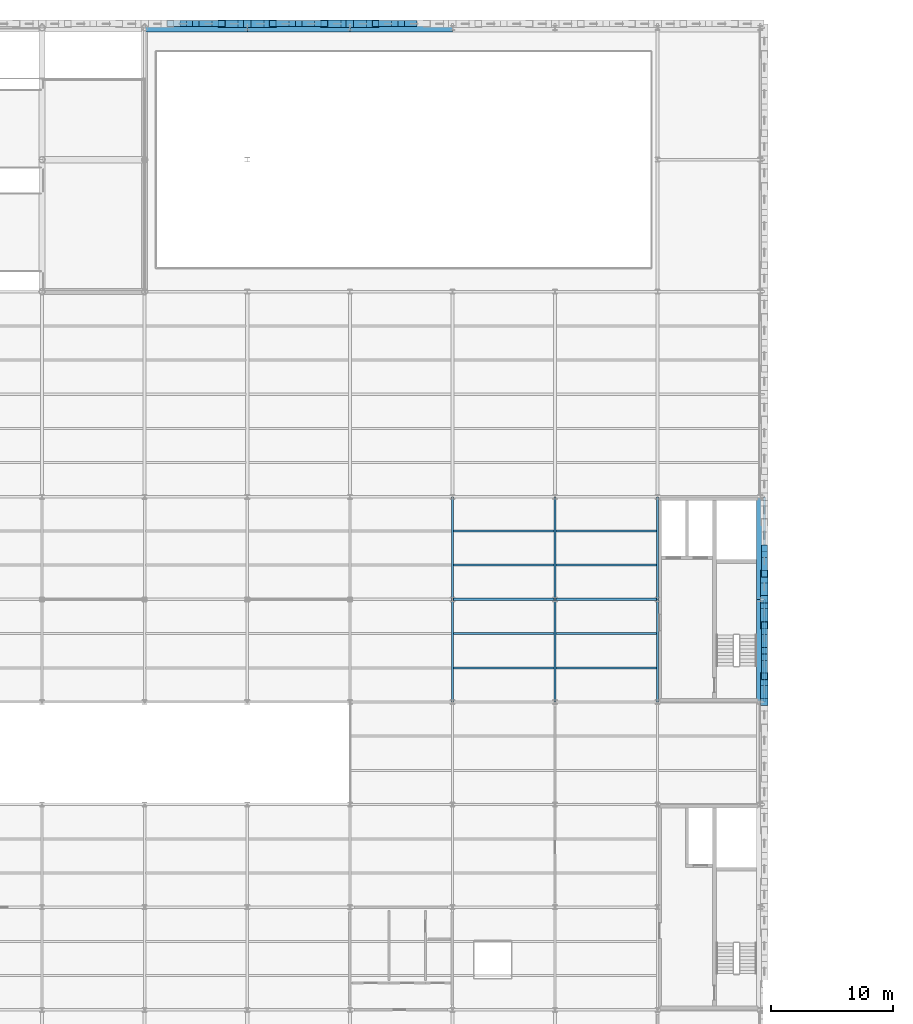
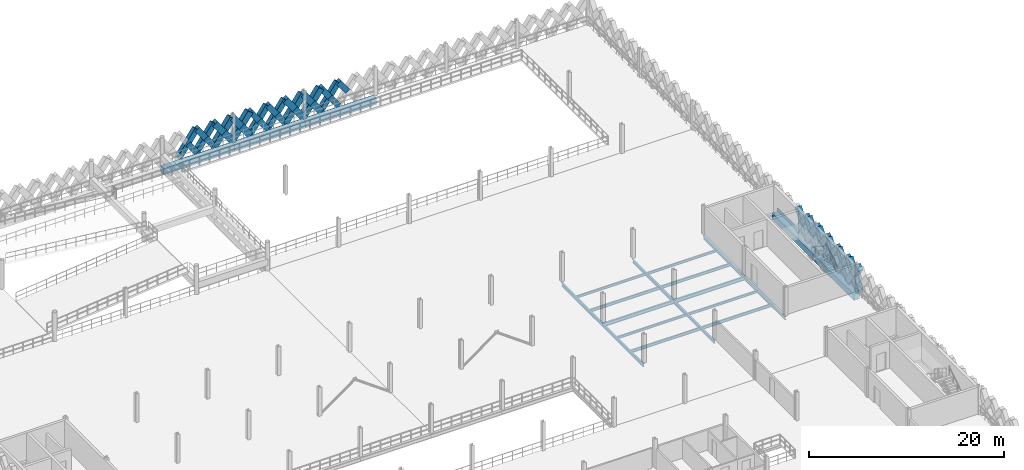
# One storey, part 29 of 74: 47 members, 21 beams.
"""IFC4 building model written with IfcOpenShell, lengths in metres."""

from ifc_helpers import new_model, si_unit, direction, frame, origin, origin_2d, place, context, subcontext, project, spatial, rectangle, hollow_rectangle, i_section, extrude, material, material_profile, profile_set, type_object, element, save


model = new_model("IFC4")

# Units and contexts
model_context = context("Model", 3, precision=1e-05, world=origin(), true_north=direction((0.0, 1.0)))
body_context = subcontext(model_context, "Body", "Model", "MODEL_VIEW")
ifc_project = project(units=[si_unit("LENGTHUNIT", "METRE"), si_unit("AREAUNIT", "SQUARE_METRE"), si_unit("VOLUMEUNIT", "CUBIC_METRE"), si_unit("PLANEANGLEUNIT", "RADIAN"), si_unit("MASSUNIT", "GRAM", prefix="KILO"), si_unit("THERMODYNAMICTEMPERATUREUNIT", "KELVIN"), si_unit("POWERUNIT", "WATT")], contexts=[model_context])

# Site, building, storey
site_placement = place(None, origin())
site = spatial("IfcSite", under=ifc_project, at=site_placement, CompositionType="ELEMENT")
building_placement = place(site_placement, origin())
building = spatial("IfcBuilding", under=site, at=building_placement, Name="Tembeka Court Mobility Hub", CompositionType="ELEMENT")
storey_placement = place(building_placement, frame((0.0, 0.0, 12.60009765625)))
storey = spatial("IfcBuildingStorey", under=building, at=storey_placement, Name="L03", CompositionType="ELEMENT", Elevation=12.60009765625)

# Beams
ifc_material_1 = material(Name="Steel S355", Category="steel")
ifc_material_profile_1 = material_profile(ifc_material_1, i_section(OverallWidth=0.18994140625, OverallDepth=0.45703125, WebThickness=0.009033203125, FlangeThickness=0.014404296875, FilletRadius=0.01025390625, at=origin_2d()), Name="UKB 457x191x74")
ifc_profile_set_1 = profile_set([ifc_material_profile_1], Name="Steel S355")
beam_type_1 = type_object("IfcBeamType", Name="BM-B01", PredefinedType="BEAM", material=ifc_profile_set_1)
beam_1_placement = place(storey_placement, frame((67.199951171875, 72.0, -0.448486328125), z_axis=(1.0, 0.0, 0.0), x_axis=(0.0, 1.0, 0.0)))
element("IfcBeam", 1, at=beam_1_placement, inside=storey, type_object=beam_type_1, Name="Beam B01 (BM-L03-X1779)", PredefinedType="BEAM", context=body_context, shape_type="SweptSolid", body=[
    extrude(i_section(OverallWidth=0.18994140625, OverallDepth=0.45703125, WebThickness=0.009033203125, FlangeThickness=0.014404296875, FilletRadius=0.01025390625, at=origin_2d()), origin(), (0.0, 0.0, 1.0), 8.400146484375),
])
beam_2_placement = place(storey_placement, frame((75.60009765625, 72.0, -0.448486328125), z_axis=(1.0, 0.0, 0.0), x_axis=(0.0, 1.0, 0.0)))
element("IfcBeam", 2, at=beam_2_placement, inside=storey, type_object=beam_type_1, Name="Beam B01 (BM-L03-X1780)", PredefinedType="BEAM", context=body_context, shape_type="SweptSolid", body=[
    extrude(i_section(OverallWidth=0.18994140625, OverallDepth=0.45703125, WebThickness=0.009033203125, FlangeThickness=0.014404296875, FilletRadius=0.01025390625, at=origin_2d()), origin(), (0.0, 0.0, 1.0), 8.39990234375),
])
ifc_material_profile_2 = material_profile(ifc_material_1, i_section(OverallWidth=0.177978515625, OverallDepth=0.406005859375, WebThickness=0.0078125, FlangeThickness=0.0126953125, FilletRadius=0.01025390625, at=origin_2d()), Name="UKB 406x178x60")
ifc_profile_set_2 = profile_set([ifc_material_profile_2], Name="Steel S355")
beam_type_2 = type_object("IfcBeamType", Name="BM-B02", PredefinedType="BEAM", material=ifc_profile_set_2)
for number, where, z_axis, x_axis, name in (
    (3, (67.199951171875, 63.60009765625, -0.423095703125), (0.0, 1.0, 0.0), (-1.0, 0.0, 0.0), "Beam B02 (BM-L03-Y1889)"),
    (4, (67.199951171875, 72.0, -0.423095703125), (0.0, 1.0, 0.0), (-1.0, 0.0, 0.0), "Beam B02 (BM-L03-Y1890)"),
    (5, (75.60009765625, 63.60009765625, -0.423095703125), (0.0, 1.0, 0.0), (-1.0, 0.0, 0.0), "Beam B02 (BM-L03-Y1896)"),
    (6, (75.60009765625, 72.0, -0.423095703125), (0.0, 1.0, 0.0), (-1.0, 0.0, 0.0), "Beam B02 (BM-L03-Y1897)"),
    (7, (84.0, 63.60009765625, -0.423095703125), (0.0, 1.0, 0.0), (-1.0, 0.0, 0.0), "Beam B02 (BM-L03-Y1905)"),
    (8, (84.0, 72.0, -0.423095703125), (0.0, 1.0, 0.0), (-1.0, 0.0, 0.0), "Beam B02 (BM-L03-Y1906)"),
):
    element("IfcBeam", number, at=place(storey_placement, frame(where, z_axis=z_axis, x_axis=x_axis)), inside=storey, type_object=beam_type_2, Name=name, PredefinedType="BEAM", context=body_context, shape_type="SweptSolid", body=[
        extrude(i_section(OverallWidth=0.177978515625, OverallDepth=0.406005859375, WebThickness=0.0078125, FlangeThickness=0.0126953125, FilletRadius=0.01025390625, at=origin_2d()), origin(), (0.0, 0.0, 1.0), 8.39990234375),
    ])
ifc_material_profile_3 = material_profile(ifc_material_1, i_section(OverallWidth=0.1650390625, OverallDepth=0.303955078125, WebThickness=0.006103515625, FlangeThickness=0.01025390625, FilletRadius=0.0087890625, at=origin_2d()), Name="UKB 305x165x40")
ifc_profile_set_3 = profile_set([ifc_material_profile_3], Name="Steel S355")
beam_type_3 = type_object("IfcBeamType", Name="BM-J02", PredefinedType="JOIST", material=ifc_profile_set_3)
for number, where, z_axis, x_axis, name in (
    (9, (67.283935546875, 69.199951171875, -0.3720703125), (1.0, 0.0, 0.0), (0.0, 1.0, 0.0), "Beam J02 (JST-L03-2102)"),
    (10, (67.283935546875, 77.60009765625, -0.3720703125), (1.0, 0.0, 0.0), (0.0, 1.0, 0.0), "Beam J02 (JST-L03-2104)"),
):
    element("IfcBeam", number, at=place(storey_placement, frame(where, z_axis=z_axis, x_axis=x_axis)), inside=storey, type_object=beam_type_3, Name=name, PredefinedType="JOIST", context=body_context, shape_type="SweptSolid", body=[
        extrude(i_section(OverallWidth=0.1650390625, OverallDepth=0.303955078125, WebThickness=0.006103515625, FlangeThickness=0.01025390625, FilletRadius=0.0087890625, at=origin_2d()), origin(), (0.0, 0.0, 1.0), 8.232177734375),
    ])
for number, where, z_axis, x_axis, name in (
    (11, (75.68408203125, 69.199951171875, -0.3720703125), (1.0, 0.0, 0.0), (0.0, 1.0, 0.0), "Beam J02 (JST-L03-2122)"),
    (12, (75.68408203125, 77.60009765625, -0.3720703125), (1.0, 0.0, 0.0), (0.0, 1.0, 0.0), "Beam J02 (JST-L03-2124)"),
):
    element("IfcBeam", number, at=place(storey_placement, frame(where, z_axis=z_axis, x_axis=x_axis)), inside=storey, type_object=beam_type_3, Name=name, PredefinedType="JOIST", context=body_context, shape_type="SweptSolid", body=[
        extrude(i_section(OverallWidth=0.1650390625, OverallDepth=0.303955078125, WebThickness=0.006103515625, FlangeThickness=0.01025390625, FilletRadius=0.0087890625, at=origin_2d()), origin(), (0.0, 0.0, 1.0), 8.23193359375),
    ])
ifc_material_profile_4 = material_profile(ifc_material_1, i_section(OverallWidth=0.169921875, OverallDepth=0.360107421875, WebThickness=0.008056640625, FlangeThickness=0.0126953125, FilletRadius=0.01806640625, at=origin_2d()), Name="IPE 360")
ifc_profile_set_4 = profile_set([ifc_material_profile_4], Name="Steel S355")
beam_type_4 = type_object("IfcBeamType", Name="BM-J03", PredefinedType="JOIST", material=ifc_profile_set_4)
for number, where, z_axis, x_axis, name in (
    (13, (67.283935546875, 66.39990234375, -0.400146484375), (1.0, 0.0, 0.0), (0.0, 1.0, 0.0), "Beam J03 (JST-L03-2101)"),
    (14, (67.283935546875, 74.800048828125, -0.400146484375), (1.0, 0.0, 0.0), (0.0, 1.0, 0.0), "Beam J03 (JST-L03-2103)"),
):
    element("IfcBeam", number, at=place(storey_placement, frame(where, z_axis=z_axis, x_axis=x_axis)), inside=storey, type_object=beam_type_4, Name=name, PredefinedType="JOIST", context=body_context, shape_type="SweptSolid", body=[
        extrude(i_section(OverallWidth=0.169921875, OverallDepth=0.360107421875, WebThickness=0.008056640625, FlangeThickness=0.0126953125, FilletRadius=0.01806640625, at=origin_2d()), origin(), (0.0, 0.0, 1.0), 8.232177734375),
    ])
for number, where, z_axis, x_axis, name in (
    (15, (75.68408203125, 66.39990234375, -0.400146484375), (1.0, 0.0, 0.0), (0.0, 1.0, 0.0), "Beam J03 (JST-L03-2121)"),
    (16, (75.68408203125, 74.800048828125, -0.400146484375), (1.0, 0.0, 0.0), (0.0, 1.0, 0.0), "Beam J03 (JST-L03-2123)"),
):
    element("IfcBeam", number, at=place(storey_placement, frame(where, z_axis=z_axis, x_axis=x_axis)), inside=storey, type_object=beam_type_4, Name=name, PredefinedType="JOIST", context=body_context, shape_type="SweptSolid", body=[
        extrude(i_section(OverallWidth=0.169921875, OverallDepth=0.360107421875, WebThickness=0.008056640625, FlangeThickness=0.0126953125, FilletRadius=0.01806640625, at=origin_2d()), origin(), (0.0, 0.0, 1.0), 8.23193359375),
    ])
ifc_material_2 = material(Name="Precast concrete C45/55", Category="concrete")
ifc_material_profile_5 = material_profile(ifc_material_2, rectangle(XDim=0.64990234375, YDim=0.800048828125, at=origin_2d()), Name="PC-SP 650x800")
ifc_profile_set_5 = profile_set([ifc_material_profile_5], Name="Precast concrete C45/55")
beam_type_5 = type_object("IfcBeamType", Name="BM-SP01", PredefinedType="SPANDREL", material=ifc_profile_set_5)
beam_3_placement = place(storey_placement, frame((42.0, 118.800048828125, -0.6201171875), z_axis=(1.0, 0.0, 0.0), x_axis=(0.0, 1.0, 0.0)))
element("IfcBeam", 17, at=beam_3_placement, inside=storey, type_object=beam_type_5, Name="Beam SP01 (BM-L03-X1810)", PredefinedType="SPANDREL", context=body_context, shape_type="SweptSolid", body=[
    extrude(rectangle(XDim=0.64990234375, YDim=0.800048828125, at=origin_2d()), origin(), (0.0, 0.0, 1.0), 8.39990234375),
])
beam_4_placement = place(storey_placement, frame((50.39990234375, 118.800048828125, -0.6201171875), z_axis=(1.0, 0.0, 0.0), x_axis=(0.0, 1.0, 0.0)))
element("IfcBeam", 18, at=beam_4_placement, inside=storey, type_object=beam_type_5, Name="Beam SP01 (BM-L03-X1811)", PredefinedType="SPANDREL", context=body_context, shape_type="SweptSolid", body=[
    extrude(rectangle(XDim=0.64990234375, YDim=0.800048828125, at=origin_2d()), origin(), (0.0, 0.0, 1.0), 8.400146484375),
])
for number, where, z_axis, x_axis, name in (
    (19, (58.800048828125, 118.800048828125, -0.6201171875), (1.0, 0.0, 0.0), (0.0, 1.0, 0.0), "Beam SP01 (BM-L03-X1812)"),
    (20, (92.39990234375, 63.60009765625, -0.6201171875), (0.0, 1.0, 0.0), (-1.0, 0.0, 0.0), "Beam SP01 (BM-L03-Y1916)"),
    (21, (92.39990234375, 72.0, -0.6201171875), (0.0, 1.0, 0.0), (-1.0, 0.0, 0.0), "Beam SP01 (BM-L03-Y1917)"),
):
    element("IfcBeam", number, at=place(storey_placement, frame(where, z_axis=z_axis, x_axis=x_axis)), inside=storey, type_object=beam_type_5, Name=name, PredefinedType="SPANDREL", context=body_context, shape_type="SweptSolid", body=[
        extrude(rectangle(XDim=0.64990234375, YDim=0.800048828125, at=origin_2d()), origin(), (0.0, 0.0, 1.0), 8.39990234375),
    ])

# Members
ifc_material_profile_6 = material_profile(ifc_material_2, rectangle(XDim=0.5, YDim=0.64990234375, at=origin_2d()), Name="PC-DIAG 500x650")
ifc_profile_set_6 = profile_set([ifc_material_profile_6], Name="Precast concrete C45/55")
member_type_1 = type_object("IfcMemberType", Name="MEM-DL01", PredefinedType="BRACE", material=ifc_profile_set_6)
member_1_placement = place(storey_placement, frame((44.10009765625, 119.139892578125, 0.02001953125), z_axis=(0.58253161945, 0.0, 0.812808041509), x_axis=(0.0, 1.0, 0.0)))
element("IfcMember", 22, at=member_1_placement, inside=storey, type_object=member_type_1, Name="Precast diamond lattice continuous strand DL01 (L03-454A)", PredefinedType="BRACE", context=body_context, shape_type="SweptSolid", body=[
    extrude(rectangle(XDim=0.5, YDim=0.64990234375, at=origin_2d()), origin(), (0.0, 0.0, 1.0), 3.604736328125),
])
member_2_placement = place(storey_placement, frame((46.199951171875, 119.139892578125, 0.02001953125), z_axis=(-0.582608431711, 0.0, 0.812752985414), x_axis=(0.0, -1.0, 0.0)))
element("IfcMember", 23, at=member_2_placement, inside=storey, type_object=member_type_1, Name="Precast diamond lattice split lower strand DL01 (L03-454B1)", PredefinedType="BRACE", context=body_context, shape_type="SweptSolid", body=[
    extrude(rectangle(XDim=0.5, YDim=0.64990234375, at=origin_2d()), origin(), (0.0, 0.0, 1.0), 1.80224609375),
])
member_3_placement = place(storey_placement, frame((46.199951171875, 119.139892578125, 0.02001953125), z_axis=(0.582576362011, 0.0, 0.812775973086), x_axis=(0.0, 1.0, 0.0)))
element("IfcMember", 24, at=member_3_placement, inside=storey, type_object=member_type_1, Name="Precast diamond lattice continuous strand DL01 (L03-455A)", PredefinedType="BRACE", context=body_context, shape_type="SweptSolid", body=[
    extrude(rectangle(XDim=0.5, YDim=0.64990234375, at=origin_2d()), origin(), (0.0, 0.0, 1.0), 3.604736328125),
])
member_4_placement = place(storey_placement, frame((48.300048828125, 119.139892578125, 0.02001953125), z_axis=(-0.582608431711, 0.0, 0.812752985414), x_axis=(0.0, -1.0, 0.0)))
element("IfcMember", 25, at=member_4_placement, inside=storey, type_object=member_type_1, Name="Precast diamond lattice split lower strand DL01 (L03-455B1)", PredefinedType="BRACE", context=body_context, shape_type="SweptSolid", body=[
    extrude(rectangle(XDim=0.5, YDim=0.64990234375, at=origin_2d()), origin(), (0.0, 0.0, 1.0), 1.80224609375),
])
member_5_placement = place(storey_placement, frame((47.25, 119.139892578125, 1.48486328125), z_axis=(-0.582544294934, 0.0, 0.812798956963), x_axis=(0.0, -1.0, 0.0)))
element("IfcMember", 26, at=member_5_placement, inside=storey, type_object=member_type_1, Name="Precast diamond lattice split upper strand DL01 (L03-455B2)", PredefinedType="BRACE", context=body_context, shape_type="SweptSolid", body=[
    extrude(rectangle(XDim=0.5, YDim=0.64990234375, at=origin_2d()), origin(), (0.0, 0.0, 1.0), 1.802490234375),
])
member_6_placement = place(storey_placement, frame((52.5, 119.139892578125, 0.02001953125), z_axis=(0.582576362011, 0.0, 0.812775973086), x_axis=(0.0, 1.0, 0.0)))
element("IfcMember", 27, at=member_6_placement, inside=storey, type_object=member_type_1, Name="Precast diamond lattice continuous strand DL01 (L03-458A)", PredefinedType="BRACE", context=body_context, shape_type="SweptSolid", body=[
    extrude(rectangle(XDim=0.5, YDim=0.64990234375, at=origin_2d()), origin(), (0.0, 0.0, 1.0), 3.604736328125),
])
member_7_placement = place(storey_placement, frame((54.60009765625, 119.139892578125, 0.02001953125), z_axis=(-0.582608431711, 0.0, 0.812752985414), x_axis=(0.0, -1.0, 0.0)))
element("IfcMember", 28, at=member_7_placement, inside=storey, type_object=member_type_1, Name="Precast diamond lattice split lower strand DL01 (L03-458B1)", PredefinedType="BRACE", context=body_context, shape_type="SweptSolid", body=[
    extrude(rectangle(XDim=0.5, YDim=0.64990234375, at=origin_2d()), origin(), (0.0, 0.0, 1.0), 1.80224609375),
])
member_8_placement = place(storey_placement, frame((53.550048828125, 119.139892578125, 1.48486328125), z_axis=(-0.582544294934, 0.0, 0.812798956963), x_axis=(0.0, -1.0, 0.0)))
element("IfcMember", 29, at=member_8_placement, inside=storey, type_object=member_type_1, Name="Precast diamond lattice split upper strand DL01 (L03-458B2)", PredefinedType="BRACE", context=body_context, shape_type="SweptSolid", body=[
    extrude(rectangle(XDim=0.5, YDim=0.64990234375, at=origin_2d()), origin(), (0.0, 0.0, 1.0), 1.802490234375),
])
member_9_placement = place(storey_placement, frame((54.60009765625, 119.139892578125, 0.02001953125), z_axis=(0.58253161945, 0.0, 0.812808041509), x_axis=(0.0, 1.0, 0.0)))
element("IfcMember", 30, at=member_9_placement, inside=storey, type_object=member_type_1, Name="Precast diamond lattice continuous strand DL01 (L03-459A)", PredefinedType="BRACE", context=body_context, shape_type="SweptSolid", body=[
    extrude(rectangle(XDim=0.5, YDim=0.64990234375, at=origin_2d()), origin(), (0.0, 0.0, 1.0), 3.604736328125),
])
member_10_placement = place(storey_placement, frame((56.699951171875, 119.139892578125, 0.02001953125), z_axis=(-0.582608431711, 0.0, 0.812752985414), x_axis=(0.0, -1.0, 0.0)))
element("IfcMember", 31, at=member_10_placement, inside=storey, type_object=member_type_1, Name="Precast diamond lattice split lower strand DL01 (L03-459B1)", PredefinedType="BRACE", context=body_context, shape_type="SweptSolid", body=[
    extrude(rectangle(XDim=0.5, YDim=0.64990234375, at=origin_2d()), origin(), (0.0, 0.0, 1.0), 1.80224609375),
])
member_11_placement = place(storey_placement, frame((55.64990234375, 119.139892578125, 1.48486328125), z_axis=(-0.582454804382, 0.0, 0.812863088627), x_axis=(0.0, -1.0, 0.0)))
element("IfcMember", 32, at=member_11_placement, inside=storey, type_object=member_type_1, Name="Precast diamond lattice split upper strand DL01 (L03-459B2)", PredefinedType="BRACE", context=body_context, shape_type="SweptSolid", body=[
    extrude(rectangle(XDim=0.5, YDim=0.64990234375, at=origin_2d()), origin(), (0.0, 0.0, 1.0), 1.802490234375),
])
member_12_placement = place(storey_placement, frame((60.89990234375, 119.139892578125, 0.02001953125), z_axis=(0.582576362011, 0.0, 0.812775973086), x_axis=(0.0, 1.0, 0.0)))
element("IfcMember", 33, at=member_12_placement, inside=storey, type_object=member_type_1, Name="Precast diamond lattice continuous strand DL01 (L03-462A)", PredefinedType="BRACE", context=body_context, shape_type="SweptSolid", body=[
    extrude(rectangle(XDim=0.5, YDim=0.64990234375, at=origin_2d()), origin(), (0.0, 0.0, 1.0), 3.604736328125),
])
member_13_placement = place(storey_placement, frame((63.0, 119.139892578125, 0.02001953125), z_axis=(-0.582608431711, 0.0, 0.812752985414), x_axis=(0.0, -1.0, 0.0)))
element("IfcMember", 34, at=member_13_placement, inside=storey, type_object=member_type_1, Name="Precast diamond lattice split lower strand DL01 (L03-462B1)", PredefinedType="BRACE", context=body_context, shape_type="SweptSolid", body=[
    extrude(rectangle(XDim=0.5, YDim=0.64990234375, at=origin_2d()), origin(), (0.0, 0.0, 1.0), 1.80224609375),
])
for number, where, z_axis, x_axis, name in (
    (35, (61.949951171875, 119.139892578125, 1.48486328125), (-0.582544294934, 0.0, 0.812798956963), (0.0, -1.0, 0.0), "Precast diamond lattice split upper strand DL01 (L03-462B2)"),
    (36, (64.050048828125, 119.139892578125, 1.48486328125), (-0.582544294934, 0.0, 0.812798956963), (0.0, -1.0, 0.0), "Precast diamond lattice split upper strand DL01 (L03-463B2)"),
):
    element("IfcMember", number, at=place(storey_placement, frame(where, z_axis=z_axis, x_axis=x_axis)), inside=storey, type_object=member_type_1, Name=name, PredefinedType="BRACE", context=body_context, shape_type="SweptSolid", body=[
        extrude(rectangle(XDim=0.5, YDim=0.64990234375, at=origin_2d()), origin(), (0.0, 0.0, 1.0), 1.802490234375),
    ])
member_14_placement = place(storey_placement, frame((92.739990234375, 65.699951171875, 0.02001953125), z_axis=(0.0, 0.582576362011, 0.812775973086), x_axis=(-1.0, 0.0, 0.0)))
element("IfcMember", 37, at=member_14_placement, inside=storey, type_object=member_type_1, Name="Precast diamond lattice continuous strand DL01 (L03-564C)", PredefinedType="BRACE", context=body_context, shape_type="SweptSolid", body=[
    extrude(rectangle(XDim=0.5, YDim=0.64990234375, at=origin_2d()), origin(), (0.0, 0.0, 1.0), 3.604736328125),
])
member_15_placement = place(storey_placement, frame((92.739990234375, 67.800048828125, 0.02001953125), z_axis=(0.0, -0.582608431711, 0.812752985414), x_axis=(1.0, 0.0, 0.0)))
element("IfcMember", 38, at=member_15_placement, inside=storey, type_object=member_type_1, Name="Precast diamond lattice split lower strand DL01 (L03-564D1)", PredefinedType="BRACE", context=body_context, shape_type="SweptSolid", body=[
    extrude(rectangle(XDim=0.5, YDim=0.64990234375, at=origin_2d()), origin(), (0.0, 0.0, 1.0), 1.80224609375),
])
member_16_placement = place(storey_placement, frame((92.739990234375, 66.75, 1.48486328125), z_axis=(0.0, -0.582544294934, 0.812798956963), x_axis=(1.0, 0.0, 0.0)))
element("IfcMember", 39, at=member_16_placement, inside=storey, type_object=member_type_1, Name="Precast diamond lattice split upper strand DL01 (L03-564D2)", PredefinedType="BRACE", context=body_context, shape_type="SweptSolid", body=[
    extrude(rectangle(XDim=0.5, YDim=0.64990234375, at=origin_2d()), origin(), (0.0, 0.0, 1.0), 1.802490234375),
])
member_17_placement = place(storey_placement, frame((92.739990234375, 67.800048828125, 0.02001953125), z_axis=(0.0, 0.58253161945, 0.812808041509), x_axis=(-1.0, 0.0, 0.0)))
element("IfcMember", 40, at=member_17_placement, inside=storey, type_object=member_type_1, Name="Precast diamond lattice continuous strand DL01 (L03-565C)", PredefinedType="BRACE", context=body_context, shape_type="SweptSolid", body=[
    extrude(rectangle(XDim=0.5, YDim=0.64990234375, at=origin_2d()), origin(), (0.0, 0.0, 1.0), 3.604736328125),
])
member_18_placement = place(storey_placement, frame((92.739990234375, 69.89990234375, 0.02001953125), z_axis=(0.0, -0.582518941428, 0.812817127574), x_axis=(1.0, 0.0, 0.0)))
element("IfcMember", 41, at=member_18_placement, inside=storey, type_object=member_type_1, Name="Precast diamond lattice split lower strand DL01 (L03-565D1)", PredefinedType="BRACE", context=body_context, shape_type="SweptSolid", body=[
    extrude(rectangle(XDim=0.5, YDim=0.64990234375, at=origin_2d()), origin(), (0.0, 0.0, 1.0), 1.80224609375),
])
member_19_placement = place(storey_placement, frame((92.739990234375, 68.85009765625, 1.48486328125), z_axis=(0.0, -0.582544294934, 0.812798956963), x_axis=(1.0, 0.0, 0.0)))
element("IfcMember", 42, at=member_19_placement, inside=storey, type_object=member_type_1, Name="Precast diamond lattice split upper strand DL01 (L03-565D2)", PredefinedType="BRACE", context=body_context, shape_type="SweptSolid", body=[
    extrude(rectangle(XDim=0.5, YDim=0.64990234375, at=origin_2d()), origin(), (0.0, 0.0, 1.0), 1.802490234375),
])
member_20_placement = place(storey_placement, frame((92.739990234375, 74.10009765625, 0.02001953125), z_axis=(0.0, 0.58253161945, 0.812808041509), x_axis=(-1.0, 0.0, 0.0)))
element("IfcMember", 43, at=member_20_placement, inside=storey, type_object=member_type_1, Name="Precast diamond lattice continuous strand DL01 (L03-568C)", PredefinedType="BRACE", context=body_context, shape_type="SweptSolid", body=[
    extrude(rectangle(XDim=0.5, YDim=0.64990234375, at=origin_2d()), origin(), (0.0, 0.0, 1.0), 3.604736328125),
])
member_21_placement = place(storey_placement, frame((92.739990234375, 76.199951171875, 0.02001953125), z_axis=(0.0, -0.582608431711, 0.812752985414), x_axis=(1.0, 0.0, 0.0)))
element("IfcMember", 44, at=member_21_placement, inside=storey, type_object=member_type_1, Name="Precast diamond lattice split lower strand DL01 (L03-568D1)", PredefinedType="BRACE", context=body_context, shape_type="SweptSolid", body=[
    extrude(rectangle(XDim=0.5, YDim=0.64990234375, at=origin_2d()), origin(), (0.0, 0.0, 1.0), 1.80224609375),
])
member_22_placement = place(storey_placement, frame((92.739990234375, 75.14990234375, 1.48486328125), z_axis=(0.0, -0.582454804382, 0.812863088627), x_axis=(1.0, 0.0, 0.0)))
element("IfcMember", 45, at=member_22_placement, inside=storey, type_object=member_type_1, Name="Precast diamond lattice split upper strand DL01 (L03-568D2)", PredefinedType="BRACE", context=body_context, shape_type="SweptSolid", body=[
    extrude(rectangle(XDim=0.5, YDim=0.64990234375, at=origin_2d()), origin(), (0.0, 0.0, 1.0), 1.802490234375),
])
ifc_material_profile_7 = material_profile(ifc_material_2, rectangle(XDim=0.60009765625, YDim=0.75, at=origin_2d()), Name="PC-DIAG 600x750")
ifc_profile_set_7 = profile_set([ifc_material_profile_7], Name="Precast concrete C45/55")
member_type_2 = type_object("IfcMemberType", Name="MEM-DL02", PredefinedType="BRACE", material=ifc_profile_set_7)
member_23_placement = place(storey_placement, frame((48.300048828125, 119.139892578125, 0.02001953125), z_axis=(0.58253161945, 0.0, 0.812808041509), x_axis=(0.0, 1.0, 0.0)))
element("IfcMember", 46, at=member_23_placement, inside=storey, type_object=member_type_2, Name="Precast diamond lattice continuous strand DL02 (L03-456A)", PredefinedType="BRACE", context=body_context, shape_type="SweptSolid", body=[
    extrude(rectangle(XDim=0.60009765625, YDim=0.75, at=origin_2d()), origin(), (0.0, 0.0, 1.0), 3.604736328125),
])
member_24_placement = place(storey_placement, frame((50.39990234375, 119.139892578125, 0.02001953125), z_axis=(-0.582518941428, 0.0, 0.812817127574), x_axis=(0.0, -1.0, 0.0)))
element("IfcMember", 47, at=member_24_placement, inside=storey, type_object=member_type_2, Name="Precast diamond lattice split lower strand DL02 (L03-456B1)", PredefinedType="BRACE", context=body_context, shape_type="SweptSolid", body=[
    extrude(rectangle(XDim=0.60009765625, YDim=0.75, at=origin_2d()), origin(), (0.0, 0.0, 1.0), 1.80224609375),
])
member_25_placement = place(storey_placement, frame((49.35009765625, 119.139892578125, 1.48486328125), z_axis=(-0.582544294934, 0.0, 0.812798956963), x_axis=(0.0, -1.0, 0.0)))
element("IfcMember", 48, at=member_25_placement, inside=storey, type_object=member_type_2, Name="Precast diamond lattice split upper strand DL02 (L03-456B2)", PredefinedType="BRACE", context=body_context, shape_type="SweptSolid", body=[
    extrude(rectangle(XDim=0.60009765625, YDim=0.75, at=origin_2d()), origin(), (0.0, 0.0, 1.0), 1.802490234375),
])
member_26_placement = place(storey_placement, frame((50.39990234375, 119.139892578125, 0.02001953125), z_axis=(0.582576362011, 0.0, 0.812775973086), x_axis=(0.0, 1.0, 0.0)))
element("IfcMember", 49, at=member_26_placement, inside=storey, type_object=member_type_2, Name="Precast diamond lattice continuous strand DL02 (L03-457A)", PredefinedType="BRACE", context=body_context, shape_type="SweptSolid", body=[
    extrude(rectangle(XDim=0.60009765625, YDim=0.75, at=origin_2d()), origin(), (0.0, 0.0, 1.0), 3.604736328125),
])
member_27_placement = place(storey_placement, frame((52.5, 119.139892578125, 0.02001953125), z_axis=(-0.582608431711, 0.0, 0.812752985414), x_axis=(0.0, -1.0, 0.0)))
element("IfcMember", 50, at=member_27_placement, inside=storey, type_object=member_type_2, Name="Precast diamond lattice split lower strand DL02 (L03-457B1)", PredefinedType="BRACE", context=body_context, shape_type="SweptSolid", body=[
    extrude(rectangle(XDim=0.60009765625, YDim=0.75, at=origin_2d()), origin(), (0.0, 0.0, 1.0), 1.80224609375),
])
member_28_placement = place(storey_placement, frame((51.449951171875, 119.139892578125, 1.48486328125), z_axis=(-0.582544294934, 0.0, 0.812798956963), x_axis=(0.0, -1.0, 0.0)))
element("IfcMember", 51, at=member_28_placement, inside=storey, type_object=member_type_2, Name="Precast diamond lattice split upper strand DL02 (L03-457B2)", PredefinedType="BRACE", context=body_context, shape_type="SweptSolid", body=[
    extrude(rectangle(XDim=0.60009765625, YDim=0.75, at=origin_2d()), origin(), (0.0, 0.0, 1.0), 1.802490234375),
])
member_29_placement = place(storey_placement, frame((56.699951171875, 119.139892578125, 0.02001953125), z_axis=(0.582576362011, 0.0, 0.812775973086), x_axis=(0.0, 1.0, 0.0)))
element("IfcMember", 52, at=member_29_placement, inside=storey, type_object=member_type_2, Name="Precast diamond lattice continuous strand DL02 (L03-460A)", PredefinedType="BRACE", context=body_context, shape_type="SweptSolid", body=[
    extrude(rectangle(XDim=0.60009765625, YDim=0.75, at=origin_2d()), origin(), (0.0, 0.0, 1.0), 3.604736328125),
])
member_30_placement = place(storey_placement, frame((58.800048828125, 119.139892578125, 0.02001953125), z_axis=(-0.582608431711, 0.0, 0.812752985414), x_axis=(0.0, -1.0, 0.0)))
element("IfcMember", 53, at=member_30_placement, inside=storey, type_object=member_type_2, Name="Precast diamond lattice split lower strand DL02 (L03-460B1)", PredefinedType="BRACE", context=body_context, shape_type="SweptSolid", body=[
    extrude(rectangle(XDim=0.60009765625, YDim=0.75, at=origin_2d()), origin(), (0.0, 0.0, 1.0), 1.80224609375),
])
member_31_placement = place(storey_placement, frame((57.75, 119.139892578125, 1.48486328125), z_axis=(-0.582544294934, 0.0, 0.812798956963), x_axis=(0.0, -1.0, 0.0)))
element("IfcMember", 54, at=member_31_placement, inside=storey, type_object=member_type_2, Name="Precast diamond lattice split upper strand DL02 (L03-460B2)", PredefinedType="BRACE", context=body_context, shape_type="SweptSolid", body=[
    extrude(rectangle(XDim=0.60009765625, YDim=0.75, at=origin_2d()), origin(), (0.0, 0.0, 1.0), 1.802490234375),
])
member_32_placement = place(storey_placement, frame((58.800048828125, 119.139892578125, 0.02001953125), z_axis=(0.58253161945, 0.0, 0.812808041509), x_axis=(0.0, 1.0, 0.0)))
element("IfcMember", 55, at=member_32_placement, inside=storey, type_object=member_type_2, Name="Precast diamond lattice continuous strand DL02 (L03-461A)", PredefinedType="BRACE", context=body_context, shape_type="SweptSolid", body=[
    extrude(rectangle(XDim=0.60009765625, YDim=0.75, at=origin_2d()), origin(), (0.0, 0.0, 1.0), 3.604736328125),
])
member_33_placement = place(storey_placement, frame((60.89990234375, 119.139892578125, 0.02001953125), z_axis=(-0.582518941428, 0.0, 0.812817127574), x_axis=(0.0, -1.0, 0.0)))
element("IfcMember", 56, at=member_33_placement, inside=storey, type_object=member_type_2, Name="Precast diamond lattice split lower strand DL02 (L03-461B1)", PredefinedType="BRACE", context=body_context, shape_type="SweptSolid", body=[
    extrude(rectangle(XDim=0.60009765625, YDim=0.75, at=origin_2d()), origin(), (0.0, 0.0, 1.0), 1.80224609375),
])
member_34_placement = place(storey_placement, frame((59.85009765625, 119.139892578125, 1.48486328125), z_axis=(-0.582544294934, 0.0, 0.812798956963), x_axis=(0.0, -1.0, 0.0)))
element("IfcMember", 57, at=member_34_placement, inside=storey, type_object=member_type_2, Name="Precast diamond lattice split upper strand DL02 (L03-461B2)", PredefinedType="BRACE", context=body_context, shape_type="SweptSolid", body=[
    extrude(rectangle(XDim=0.60009765625, YDim=0.75, at=origin_2d()), origin(), (0.0, 0.0, 1.0), 1.802490234375),
])
member_35_placement = place(storey_placement, frame((92.739990234375, 63.60009765625, 0.02001953125), z_axis=(0.0, 0.58253161945, 0.812808041509), x_axis=(-1.0, 0.0, 0.0)))
element("IfcMember", 58, at=member_35_placement, inside=storey, type_object=member_type_2, Name="Precast diamond lattice continuous strand DL02 (L03-563C)", PredefinedType="BRACE", context=body_context, shape_type="SweptSolid", body=[
    extrude(rectangle(XDim=0.60009765625, YDim=0.75, at=origin_2d()), origin(), (0.0, 0.0, 1.0), 3.604736328125),
])
member_36_placement = place(storey_placement, frame((92.739990234375, 65.699951171875, 0.02001953125), z_axis=(0.0, -0.582608431711, 0.812752985414), x_axis=(1.0, 0.0, 0.0)))
element("IfcMember", 59, at=member_36_placement, inside=storey, type_object=member_type_2, Name="Precast diamond lattice split lower strand DL02 (L03-563D1)", PredefinedType="BRACE", context=body_context, shape_type="SweptSolid", body=[
    extrude(rectangle(XDim=0.60009765625, YDim=0.75, at=origin_2d()), origin(), (0.0, 0.0, 1.0), 1.80224609375),
])
member_37_placement = place(storey_placement, frame((92.739990234375, 64.64990234375, 1.48486328125), z_axis=(0.0, -0.582454804382, 0.812863088627), x_axis=(1.0, 0.0, 0.0)))
element("IfcMember", 60, at=member_37_placement, inside=storey, type_object=member_type_2, Name="Precast diamond lattice split upper strand DL02 (L03-563D2)", PredefinedType="BRACE", context=body_context, shape_type="SweptSolid", body=[
    extrude(rectangle(XDim=0.60009765625, YDim=0.75, at=origin_2d()), origin(), (0.0, 0.0, 1.0), 1.802490234375),
])
member_38_placement = place(storey_placement, frame((92.739990234375, 69.89990234375, 0.02001953125), z_axis=(0.0, 0.582576362011, 0.812775973086), x_axis=(-1.0, 0.0, 0.0)))
element("IfcMember", 61, at=member_38_placement, inside=storey, type_object=member_type_2, Name="Precast diamond lattice continuous strand DL02 (L03-566C)", PredefinedType="BRACE", context=body_context, shape_type="SweptSolid", body=[
    extrude(rectangle(XDim=0.60009765625, YDim=0.75, at=origin_2d()), origin(), (0.0, 0.0, 1.0), 3.604736328125),
])
member_39_placement = place(storey_placement, frame((92.739990234375, 72.0, 0.02001953125), z_axis=(0.0, -0.582608431711, 0.812752985414), x_axis=(1.0, 0.0, 0.0)))
element("IfcMember", 62, at=member_39_placement, inside=storey, type_object=member_type_2, Name="Precast diamond lattice split lower strand DL02 (L03-566D1)", PredefinedType="BRACE", context=body_context, shape_type="SweptSolid", body=[
    extrude(rectangle(XDim=0.60009765625, YDim=0.75, at=origin_2d()), origin(), (0.0, 0.0, 1.0), 1.80224609375),
])
member_40_placement = place(storey_placement, frame((92.739990234375, 70.949951171875, 1.48486328125), z_axis=(0.0, -0.582544294934, 0.812798956963), x_axis=(1.0, 0.0, 0.0)))
element("IfcMember", 63, at=member_40_placement, inside=storey, type_object=member_type_2, Name="Precast diamond lattice split upper strand DL02 (L03-566D2)", PredefinedType="BRACE", context=body_context, shape_type="SweptSolid", body=[
    extrude(rectangle(XDim=0.60009765625, YDim=0.75, at=origin_2d()), origin(), (0.0, 0.0, 1.0), 1.802490234375),
])
member_41_placement = place(storey_placement, frame((92.739990234375, 72.0, 0.02001953125), z_axis=(0.0, 0.582576362011, 0.812775973086), x_axis=(-1.0, 0.0, 0.0)))
element("IfcMember", 64, at=member_41_placement, inside=storey, type_object=member_type_2, Name="Precast diamond lattice continuous strand DL02 (L03-567C)", PredefinedType="BRACE", context=body_context, shape_type="SweptSolid", body=[
    extrude(rectangle(XDim=0.60009765625, YDim=0.75, at=origin_2d()), origin(), (0.0, 0.0, 1.0), 3.604736328125),
])
member_42_placement = place(storey_placement, frame((92.739990234375, 74.10009765625, 0.02001953125), z_axis=(0.0, -0.582608431711, 0.812752985414), x_axis=(1.0, 0.0, 0.0)))
element("IfcMember", 65, at=member_42_placement, inside=storey, type_object=member_type_2, Name="Precast diamond lattice split lower strand DL02 (L03-567D1)", PredefinedType="BRACE", context=body_context, shape_type="SweptSolid", body=[
    extrude(rectangle(XDim=0.60009765625, YDim=0.75, at=origin_2d()), origin(), (0.0, 0.0, 1.0), 1.80224609375),
])
member_43_placement = place(storey_placement, frame((92.739990234375, 73.050048828125, 1.48486328125), z_axis=(0.0, -0.582544294934, 0.812798956963), x_axis=(1.0, 0.0, 0.0)))
element("IfcMember", 66, at=member_43_placement, inside=storey, type_object=member_type_2, Name="Precast diamond lattice split upper strand DL02 (L03-567D2)", PredefinedType="BRACE", context=body_context, shape_type="SweptSolid", body=[
    extrude(rectangle(XDim=0.60009765625, YDim=0.75, at=origin_2d()), origin(), (0.0, 0.0, 1.0), 1.802490234375),
])
ifc_material_profile_8 = material_profile(ifc_material_1, hollow_rectangle(XDim=0.14990234375, YDim=0.300048828125, WallThickness=0.010009765625, at=origin_2d()), Name="RHS 300x150x10")
ifc_profile_set_8 = profile_set([ifc_material_profile_8], Name="Steel S355")
member_type_3 = type_object("IfcMemberType", Name="MEM-ST03", PredefinedType="STRUT", material=ifc_profile_set_8)
for number, where, z_axis, x_axis, name in (
    (67, (92.739990234375, 63.60009765625, 0.02001953125), (0.0, 1.0, 0.0), (-1.0, 0.0, 0.0), "Proud lattice sill tie chord SR03 (L03-E-63)"),
    (68, (92.739990234375, 72.0, 0.02001953125), (0.0, 1.0, 0.0), (-1.0, 0.0, 0.0), "Proud lattice sill tie chord SR03 (L03-E-72)"),
):
    element("IfcMember", number, at=place(storey_placement, frame(where, z_axis=z_axis, x_axis=x_axis)), inside=storey, type_object=member_type_3, Name=name, PredefinedType="STRUT", context=body_context, shape_type="SweptSolid", body=[
        extrude(hollow_rectangle(XDim=0.14990234375, YDim=0.300048828125, WallThickness=0.010009765625, at=origin_2d()), origin(), (0.0, 0.0, 1.0), 8.39990234375),
    ])

save(model, "model.ifc")
